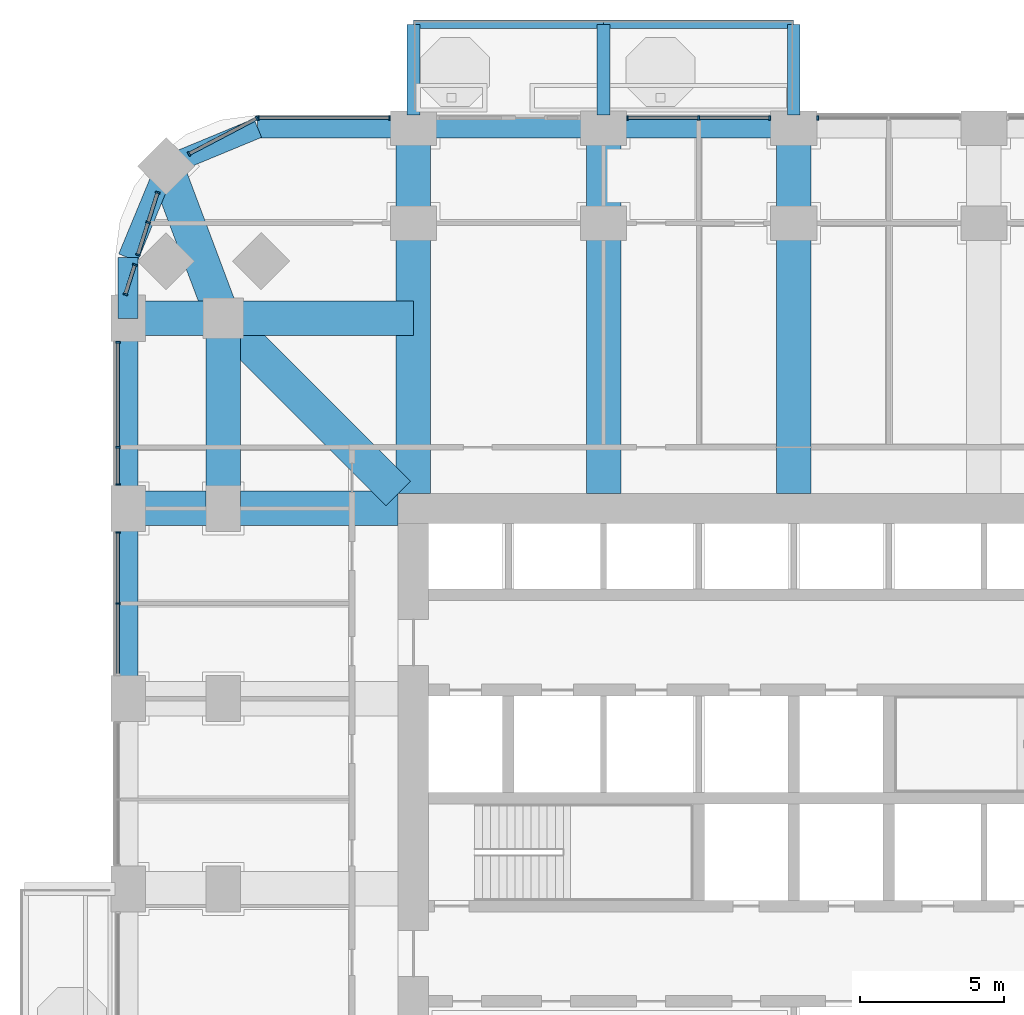
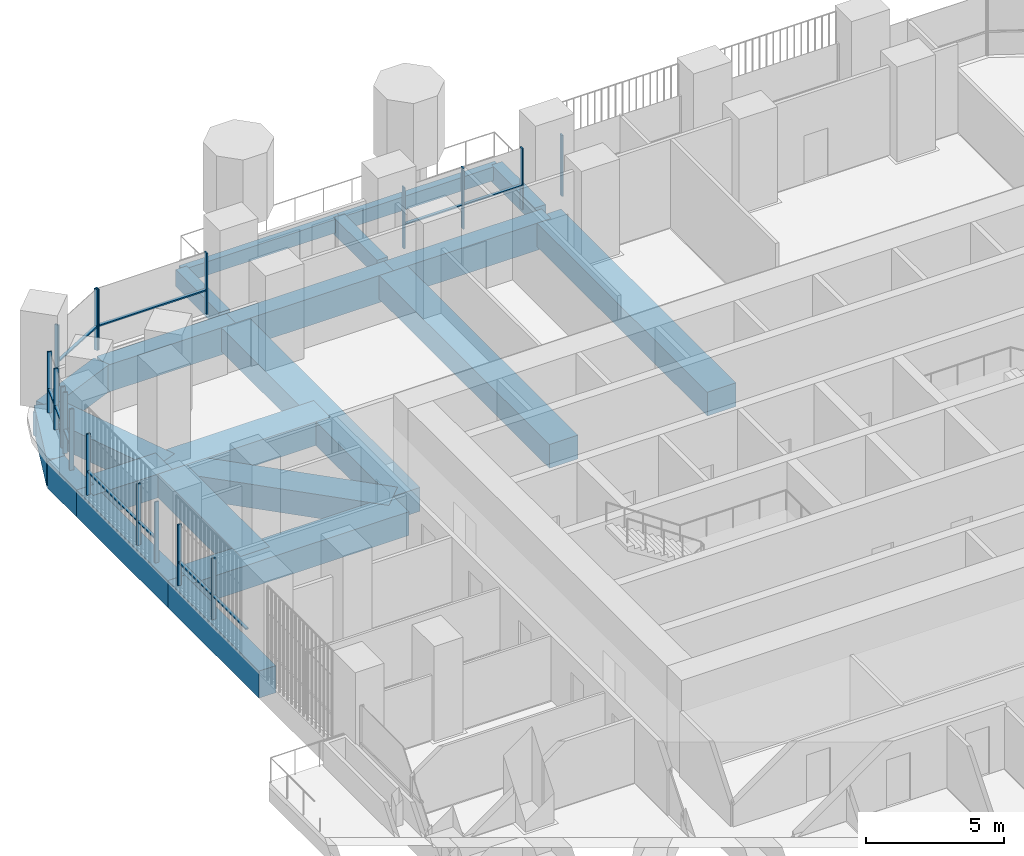
# One storey, part 6 of 21: 29 members, 22 beams, 8 elements without a shape of their own.
"""IFC4 building model written with IfcOpenShell, lengths in metres."""

from ifc_helpers import new_model, si_unit, direction, frame, origin, origin_2d, place, context, subcontext, project, spatial, rectangle, extrude, material, material_profile, profile_set, type_object, element, aggregate, save


model = new_model("IFC4")

# Units and contexts
model_context = context("Model", 3, precision=1e-05, world=origin(), true_north=direction((0.0, 1.0)))
body_context = subcontext(model_context, "Body", "Model", "MODEL_VIEW")
ifc_project = project(units=[si_unit("LENGTHUNIT", "METRE"), si_unit("AREAUNIT", "SQUARE_METRE"), si_unit("VOLUMEUNIT", "CUBIC_METRE"), si_unit("PLANEANGLEUNIT", "RADIAN"), si_unit("MASSUNIT", "GRAM", prefix="KILO")], contexts=[model_context])

# Site, building, storey
site_placement = place(None, origin())
site = spatial("IfcSite", under=ifc_project, at=site_placement, CompositionType="ELEMENT")
building_placement = place(site_placement, origin())
building = spatial("IfcBuilding", under=site, at=building_placement, Name="Cobogo Forest Laboratory Tower", CompositionType="ELEMENT")
storey_placement = place(building_placement, frame((0.0, 0.0, 90.60009765625)))
storey = spatial("IfcBuildingStorey", under=building, at=storey_placement, Name="L20", CompositionType="ELEMENT", Elevation=90.60009765625)

# Beams
ifc_material_1 = material(Name="Concrete HA-40 (C40/50)", Category="concrete")
ifc_material_profile_1 = material_profile(ifc_material_1, rectangle(XDim=0.449951171875, YDim=0.75, at=origin_2d()), Name="RC 450x750")
ifc_profile_set_1 = profile_set([ifc_material_profile_1], Name="Concrete HA-40 (C40/50)")
beam_type_1 = type_object("IfcBeamType", Name="Balcony cantilever beam 450x750", PredefinedType="BEAM", material=ifc_profile_set_1)
for number, where, z_axis, x_axis, name in (
    (1, (13.199951171875, 46.64990234375, -0.625), (0.0, 1.0, 0.0), (-1.0, 0.0, 0.0), "CB1 BAL-N1-C1 L20"),
    (2, (19.800048828125, 46.64990234375, -0.625), (0.0, 1.0, 0.0), (-1.0, 0.0, 0.0), "CB1 BAL-N1-C2 L20"),
    (3, (26.39990234375, 46.64990234375, -0.625), (0.0, 1.0, 0.0), (-1.0, 0.0, 0.0), "CB1 BAL-N1-C3 L20"),
):
    element("IfcBeam", number, at=place(storey_placement, frame(where, z_axis=z_axis, x_axis=x_axis)), inside=storey, type_object=beam_type_1, Name=name, PredefinedType="BEAM", context=body_context, shape_type="SweptSolid", body=[
        extrude(rectangle(XDim=0.449951171875, YDim=0.75, at=origin_2d()), origin(), (0.0, 0.0, 1.0), 3.150146484375),
    ])
ifc_material_profile_2 = material_profile(ifc_material_1, rectangle(XDim=0.300048828125, YDim=0.60009765625, at=origin_2d()), Name="RC 300x600")
ifc_profile_set_2 = profile_set([ifc_material_profile_2], Name="Concrete HA-40 (C40/50)")
beam_type_2 = type_object("IfcBeamType", Name="Balcony edge beam 300x600", PredefinedType="BEAM", material=ifc_profile_set_2)
beam_1_placement = place(storey_placement, frame((13.199951171875, 49.800048828125, -0.550048828125), z_axis=(1.0, 0.0, 0.0), x_axis=(0.0, 1.0, 0.0)))
element("IfcBeam", 4, at=beam_1_placement, inside=storey, type_object=beam_type_2, Name="BB1 BAL-N1-T1 L20", PredefinedType="BEAM", context=body_context, shape_type="SweptSolid", body=[
    extrude(rectangle(XDim=0.300048828125, YDim=0.60009765625, at=origin_2d()), origin(), (0.0, 0.0, 1.0), 6.60009765625),
])
beam_2_placement = place(storey_placement, frame((19.800048828125, 49.800048828125, -0.550048828125), z_axis=(1.0, 0.0, 0.0), x_axis=(0.0, 1.0, 0.0)))
element("IfcBeam", 5, at=beam_2_placement, inside=storey, type_object=beam_type_2, Name="BB1 BAL-N1-T2 L20", PredefinedType="BEAM", context=body_context, shape_type="SweptSolid", body=[
    extrude(rectangle(XDim=0.300048828125, YDim=0.60009765625, at=origin_2d()), origin(), (0.0, 0.0, 1.0), 6.599853515625),
])
ifc_material_profile_3 = material_profile(ifc_material_1, rectangle(XDim=1.199951171875, YDim=1.050048828125, at=origin_2d()), Name="RC 1200x1050")
ifc_profile_set_3 = profile_set([ifc_material_profile_3], Name="Concrete HA-40 (C40/50)")
beam_type_3 = type_object("IfcBeamType", Name="Laboratory floor wide beam 1200x1050", PredefinedType="BEAM", material=ifc_profile_set_3)
for number, where, z_axis, x_axis, name in (
    (6, (13.199951171875, 33.52490234375, -0.8251953125), (0.0, 1.0, 0.0), (-1.0, 0.0, 0.0), "RB1 R-3-N L20"),
    (7, (19.800048828125, 33.52490234375, -0.8251953125), (0.0, 1.0, 0.0), (-1.0, 0.0, 0.0), "RB1 R-4-N L20"),
    (8, (26.39990234375, 33.52490234375, -0.8251953125), (0.0, 1.0, 0.0), (-1.0, 0.0, 0.0), "RB1 R-5-N L20"),
):
    element("IfcBeam", number, at=place(storey_placement, frame(where, z_axis=z_axis, x_axis=x_axis)), inside=storey, type_object=beam_type_3, Name=name, PredefinedType="BEAM", context=body_context, shape_type="SweptSolid", body=[
        extrude(rectangle(XDim=1.199951171875, YDim=1.050048828125, at=origin_2d()), origin(), (0.0, 0.0, 1.0), 12.675048828125),
    ])
beam_3_placement = place(storey_placement, frame((12.675048828125, 33.0, -0.8251953125), z_axis=(-1.0, 0.0, 0.0), x_axis=(0.0, -1.0, 0.0)))
element("IfcBeam", 9, at=beam_3_placement, inside=storey, type_object=beam_type_3, Name="RB1 R-F-W L20", PredefinedType="BEAM", context=body_context, shape_type="SweptSolid", body=[
    extrude(rectangle(XDim=1.199951171875, YDim=1.050048828125, at=origin_2d()), origin(), (0.0, 0.0, 1.0), 9.375),
])
beam_4_placement = place(storey_placement, frame((6.60009765625, 39.60009765625, -0.8251953125), z_axis=(0.0, -1.0, 0.0), x_axis=(1.0, 0.0, 0.0)))
element("IfcBeam", 10, at=beam_4_placement, inside=storey, type_object=beam_type_3, Name="RB1 G-NW-XC L20", PredefinedType="BEAM", context=body_context, shape_type="SweptSolid", body=[
    extrude(rectangle(XDim=1.199951171875, YDim=1.050048828125, at=origin_2d()), origin(), (0.0, 0.0, 1.0), 6.60009765625),
])
beam_5_placement = place(storey_placement, frame((3.300048828125, 39.60009765625, -0.8251953125), z_axis=(1.0, 0.0, 0.0), x_axis=(0.0, 1.0, 0.0)))
element("IfcBeam", 11, at=beam_5_placement, inside=storey, type_object=beam_type_3, Name="RB1 G-NW-YF L20", PredefinedType="BEAM", context=body_context, shape_type="SweptSolid", body=[
    extrude(rectangle(XDim=1.199951171875, YDim=1.050048828125, at=origin_2d()), origin(), (0.0, 0.0, 1.0), 3.300048828125),
])
beam_6_placement = place(storey_placement, frame((6.60009765625, 39.60009765625, -0.8251953125), z_axis=(1.0, 0.0, 0.0), x_axis=(0.0, 1.0, 0.0)))
element("IfcBeam", 12, at=beam_6_placement, inside=storey, type_object=beam_type_3, Name="RB1 G-NW-YC L20", PredefinedType="BEAM", context=body_context, shape_type="SweptSolid", body=[
    extrude(rectangle(XDim=1.199951171875, YDim=1.050048828125, at=origin_2d()), origin(), (0.0, 0.0, 1.0), 6.599853515625),
])
beam_7_placement = place(storey_placement, frame((4.617919921875, 44.882080078125, -0.8251953125), z_axis=(0.351346325373, -0.936245565889, 0.0), x_axis=(0.936245565889, 0.351346325373, 0.0)))
element("IfcBeam", 13, at=beam_7_placement, inside=storey, type_object=beam_type_3, Name="RB1 G-NW-D1 L20", PredefinedType="BEAM", context=body_context, shape_type="SweptSolid", body=[
    extrude(rectangle(XDim=1.199951171875, YDim=1.050048828125, at=origin_2d()), origin(), (0.0, 0.0, 1.0), 5.6416015625),
])
beam_8_placement = place(storey_placement, frame((6.60009765625, 39.60009765625, -0.8251953125), z_axis=(0.707092572697, -0.70712098939, 0.0), x_axis=(0.70712098939, 0.707092572697, 0.0)))
element("IfcBeam", 14, at=beam_8_placement, inside=storey, type_object=beam_type_3, Name="RB1 G-NW-D2 L20", PredefinedType="BEAM", context=body_context, shape_type="SweptSolid", body=[
    extrude(rectangle(XDim=1.199951171875, YDim=1.050048828125, at=origin_2d()), origin(), (0.0, 0.0, 1.0), 8.591552734375),
])

# Curtain wall, member
ifc_material_2 = material(Name="Aluminium curtain wall", Category="aluminium")
curtain_wall_type = type_object("IfcCurtainWallType", Name="CW-1 unitised curtain wall, clear glazing, laboratory floors zones A and B", PredefinedType="USERDEFINED", material=ifc_material_2)
curtain_wall_1_placement = place(storey_placement, origin())
curtain_wall_1 = element("IfcCurtainWall", 15, at=curtain_wall_1_placement, inside=storey, type_object=curtain_wall_type, Name="Curtain wall 20 L20", ObjectType="UNITISED CURTAIN WALL", PredefinedType="USERDEFINED")
ifc_material_3 = material(Name="Aluminium mullion", Category="aluminium")
ifc_material_profile_4 = material_profile(ifc_material_3, rectangle(XDim=0.06005859375, YDim=0.159912109375, at=origin_2d()), Name="AL 60x160")
ifc_profile_set_4 = profile_set([ifc_material_profile_4], Name="Aluminium mullion")
member_type_1 = type_object("IfcMemberType", Name="MU-1 aluminium mullion 60x160", PredefinedType="MULLION", material=ifc_profile_set_4)
member_1_placement = place(storey_placement, frame((27.22998046875, 46.550048828125, 0.0), z_axis=(0.0, 0.0, 1.0), x_axis=(-1.0, 0.0, 0.0)))
member_1 = element("IfcMember", 16, at=member_1_placement, type_object=member_type_1, Name="CW-1 mullion 3", PredefinedType="MULLION", context=body_context, shape_type="SweptSolid", body=[
    extrude(rectangle(XDim=0.06005859375, YDim=0.159912109375, at=origin_2d()), origin(), (0.0, 0.0, 1.0), 2.699951171875),
])
aggregate(curtain_wall_1, [member_1])

# Curtain wall, members
curtain_wall_2_placement = place(storey_placement, origin())
curtain_wall_2 = element("IfcCurtainWall", 17, at=curtain_wall_2_placement, inside=storey, type_object=curtain_wall_type, Name="Curtain wall 21 L20", ObjectType="UNITISED CURTAIN WALL", PredefinedType="USERDEFINED")
member_2_placement = place(storey_placement, frame((25.570068359375, 46.550048828125, 0.0), z_axis=(0.0, 0.0, 1.0), x_axis=(-1.0, 0.0, 0.0)))
member_2 = element("IfcMember", 18, at=member_2_placement, type_object=member_type_1, Name="CW-1 mullion 1", PredefinedType="MULLION", context=body_context, shape_type="SweptSolid", body=[
    extrude(rectangle(XDim=0.06005859375, YDim=0.159912109375, at=origin_2d()), origin(), (0.0, 0.0, 1.0), 2.699951171875),
])
member_3_placement = place(storey_placement, frame((23.10009765625, 46.550048828125, 0.0), z_axis=(0.0, 0.0, 1.0), x_axis=(-1.0, 0.0, 0.0)))
member_3 = element("IfcMember", 19, at=member_3_placement, type_object=member_type_1, Name="CW-1 mullion 2", PredefinedType="MULLION", context=body_context, shape_type="SweptSolid", body=[
    extrude(rectangle(XDim=0.06005859375, YDim=0.159912109375, at=origin_2d()), origin(), (0.0, 0.0, 1.0), 2.699951171875),
])
member_4_placement = place(storey_placement, frame((20.6298828125, 46.550048828125, 0.0), z_axis=(0.0, 0.0, 1.0), x_axis=(-1.0, 0.0, 0.0)))
member_4 = element("IfcMember", 20, at=member_4_placement, type_object=member_type_1, Name="CW-1 mullion 3", PredefinedType="MULLION", context=body_context, shape_type="SweptSolid", body=[
    extrude(rectangle(XDim=0.06005859375, YDim=0.159912109375, at=origin_2d()), origin(), (0.0, 0.0, 1.0), 2.699951171875),
])

curtain_wall_3_placement = place(storey_placement, origin())
curtain_wall_3 = element("IfcCurtainWall", 21, at=curtain_wall_3_placement, inside=storey, type_object=curtain_wall_type, Name="Curtain wall 23 L20", ObjectType="UNITISED CURTAIN WALL", PredefinedType="USERDEFINED")
member_5_placement = place(storey_placement, frame((12.3701171875, 46.550048828125, 0.0), z_axis=(0.0, 0.0, 1.0), x_axis=(-1.0, 0.0, 0.0)))
member_5 = element("IfcMember", 22, at=member_5_placement, type_object=member_type_1, Name="CW-1 mullion 1", PredefinedType="MULLION", context=body_context, shape_type="SweptSolid", body=[
    extrude(rectangle(XDim=0.06005859375, YDim=0.159912109375, at=origin_2d()), origin(), (0.0, 0.0, 1.0), 2.699951171875),
])
member_6_placement = place(storey_placement, frame((7.830078125, 46.550048828125, 0.0), z_axis=(0.0, 0.0, 1.0), x_axis=(-1.0, 0.0, 0.0)))
member_6 = element("IfcMember", 23, at=member_6_placement, type_object=member_type_1, Name="CW-1 mullion 2", PredefinedType="MULLION", context=body_context, shape_type="SweptSolid", body=[
    extrude(rectangle(XDim=0.06005859375, YDim=0.159912109375, at=origin_2d()), origin(), (0.0, 0.0, 1.0), 2.699951171875),
])

curtain_wall_4_placement = place(storey_placement, origin())
curtain_wall_4 = element("IfcCurtainWall", 24, at=curtain_wall_4_placement, inside=storey, type_object=curtain_wall_type, Name="Curtain wall 24 L20", ObjectType="UNITISED CURTAIN WALL", PredefinedType="USERDEFINED")
member_7_placement = place(storey_placement, frame((7.7734375, 46.5361328125, 0.0), z_axis=(0.0, 0.0, 1.0), x_axis=(-0.885686540666, -0.464283697413, 0.0)))
member_7 = element("IfcMember", 25, at=member_7_placement, type_object=member_type_1, Name="CW-1 mullion 1", PredefinedType="MULLION", context=body_context, shape_type="SweptSolid", body=[
    extrude(rectangle(XDim=0.06005859375, YDim=0.159912109375, at=origin_2d()), origin(), (0.0, 0.0, 1.0), 2.699951171875),
])
member_8_placement = place(storey_placement, frame((5.414794921875, 45.299560546875, 0.0), z_axis=(0.0, 0.0, 1.0), x_axis=(-0.885686540666, -0.464283697413, 0.0)))
member_8 = element("IfcMember", 26, at=member_8_placement, type_object=member_type_1, Name="CW-1 mullion 2", PredefinedType="MULLION", context=body_context, shape_type="SweptSolid", body=[
    extrude(rectangle(XDim=0.06005859375, YDim=0.159912109375, at=origin_2d()), origin(), (0.0, 0.0, 1.0), 2.699951171875),
])

curtain_wall_5_placement = place(storey_placement, origin())
curtain_wall_5 = element("IfcCurtainWall", 27, at=curtain_wall_5_placement, inside=storey, type_object=curtain_wall_type, Name="Curtain wall 25 L20", ObjectType="UNITISED CURTAIN WALL", PredefinedType="USERDEFINED")
member_9_placement = place(storey_placement, frame((4.3271484375, 43.961181640625, 0.0), z_axis=(0.0, 0.0, 1.0), x_axis=(-0.301135343623, -0.953581409645, 0.0)))
member_9 = element("IfcMember", 28, at=member_9_placement, type_object=member_type_1, Name="CW-1 mullion 1", PredefinedType="MULLION", context=body_context, shape_type="SweptSolid", body=[
    extrude(rectangle(XDim=0.06005859375, YDim=0.159912109375, at=origin_2d()), origin(), (0.0, 0.0, 1.0), 2.699951171875),
])
member_10_placement = place(storey_placement, frame((3.999755859375, 42.924072265625, 0.0), z_axis=(0.0, 0.0, 1.0), x_axis=(-0.301135343623, -0.953581409645, 0.0)))
member_10 = element("IfcMember", 29, at=member_10_placement, type_object=member_type_1, Name="CW-1 mullion 2", PredefinedType="MULLION", context=body_context, shape_type="SweptSolid", body=[
    extrude(rectangle(XDim=0.06005859375, YDim=0.159912109375, at=origin_2d()), origin(), (0.0, 0.0, 1.0), 2.699951171875),
])
member_11_placement = place(storey_placement, frame((3.645751953125, 41.802978515625, 0.0), z_axis=(0.0, 0.0, 1.0), x_axis=(-0.301135343623, -0.953581409645, 0.0)))
member_11 = element("IfcMember", 30, at=member_11_placement, type_object=member_type_1, Name="CW-1 mullion 3", PredefinedType="MULLION", context=body_context, shape_type="SweptSolid", body=[
    extrude(rectangle(XDim=0.06005859375, YDim=0.159912109375, at=origin_2d()), origin(), (0.0, 0.0, 1.0), 2.699951171875),
])

curtain_wall_6_placement = place(storey_placement, origin())
curtain_wall_6 = element("IfcCurtainWall", 31, at=curtain_wall_6_placement, inside=storey, type_object=curtain_wall_type, Name="Curtain wall 26 L20", ObjectType="UNITISED CURTAIN WALL", PredefinedType="USERDEFINED")
member_12_placement = place(storey_placement, frame((3.53515625, 41.453369140625, 0.0), z_axis=(0.0, 0.0, 1.0), x_axis=(-0.3011355018, -0.953581359694, 0.0)))
member_12 = element("IfcMember", 32, at=member_12_placement, type_object=member_type_1, Name="CW-1 mullion 1", PredefinedType="MULLION", context=body_context, shape_type="SweptSolid", body=[
    extrude(rectangle(XDim=0.06005859375, YDim=0.159912109375, at=origin_2d()), origin(), (0.0, 0.0, 1.0), 2.699951171875),
])
member_13_placement = place(storey_placement, frame((3.211669921875, 40.4287109375, 0.0), z_axis=(0.0, 0.0, 1.0), x_axis=(-0.3011355018, -0.953581359694, 0.0)))
member_13 = element("IfcMember", 33, at=member_13_placement, type_object=member_type_1, Name="CW-1 mullion 2", PredefinedType="MULLION", context=body_context, shape_type="SweptSolid", body=[
    extrude(rectangle(XDim=0.06005859375, YDim=0.159912109375, at=origin_2d()), origin(), (0.0, 0.0, 1.0), 2.699951171875),
])

curtain_wall_7_placement = place(storey_placement, origin())
curtain_wall_7 = element("IfcCurtainWall", 34, at=curtain_wall_7_placement, inside=storey, type_object=curtain_wall_type, Name="Curtain wall 27 L20", ObjectType="UNITISED CURTAIN WALL", PredefinedType="USERDEFINED")
member_14_placement = place(storey_placement, frame((2.949951171875, 38.77001953125, 0.0), z_axis=(0.0, 0.0, 1.0), x_axis=(0.0, -1.0, 0.0)))
member_14 = element("IfcMember", 35, at=member_14_placement, type_object=member_type_1, Name="CW-1 mullion 1", PredefinedType="MULLION", context=body_context, shape_type="SweptSolid", body=[
    extrude(rectangle(XDim=0.06005859375, YDim=0.159912109375, at=origin_2d()), origin(), (0.0, 0.0, 1.0), 2.699951171875),
])
member_15_placement = place(storey_placement, frame((2.949951171875, 35.125, 0.0), z_axis=(0.0, 0.0, 1.0), x_axis=(0.0, -1.0, 0.0)))
member_15 = element("IfcMember", 36, at=member_15_placement, type_object=member_type_1, Name="CW-1 mullion 2", PredefinedType="MULLION", context=body_context, shape_type="SweptSolid", body=[
    extrude(rectangle(XDim=0.06005859375, YDim=0.159912109375, at=origin_2d()), origin(), (0.0, 0.0, 1.0), 2.699951171875),
])
member_16_placement = place(storey_placement, frame((2.949951171875, 33.830078125, 0.0), z_axis=(0.0, 0.0, 1.0), x_axis=(0.0, -1.0, 0.0)))
member_16 = element("IfcMember", 37, at=member_16_placement, type_object=member_type_1, Name="CW-1 mullion 3", PredefinedType="MULLION", context=body_context, shape_type="SweptSolid", body=[
    extrude(rectangle(XDim=0.06005859375, YDim=0.159912109375, at=origin_2d()), origin(), (0.0, 0.0, 1.0), 2.699951171875),
])

curtain_wall_8_placement = place(storey_placement, origin())
curtain_wall_8 = element("IfcCurtainWall", 38, at=curtain_wall_8_placement, inside=storey, type_object=curtain_wall_type, Name="Curtain wall 28 L20", ObjectType="UNITISED CURTAIN WALL", PredefinedType="USERDEFINED")
member_17_placement = place(storey_placement, frame((2.949951171875, 32.169921875, 0.0), z_axis=(0.0, 0.0, 1.0), x_axis=(0.0, -1.0, 0.0)))
member_17 = element("IfcMember", 39, at=member_17_placement, type_object=member_type_1, Name="CW-1 mullion 1", PredefinedType="MULLION", context=body_context, shape_type="SweptSolid", body=[
    extrude(rectangle(XDim=0.06005859375, YDim=0.159912109375, at=origin_2d()), origin(), (0.0, 0.0, 1.0), 2.699951171875),
])
member_18_placement = place(storey_placement, frame((2.949951171875, 29.699951171875, 0.0), z_axis=(0.0, 0.0, 1.0), x_axis=(0.0, -1.0, 0.0)))
member_18 = element("IfcMember", 40, at=member_18_placement, type_object=member_type_1, Name="CW-1 mullion 2", PredefinedType="MULLION", context=body_context, shape_type="SweptSolid", body=[
    extrude(rectangle(XDim=0.06005859375, YDim=0.159912109375, at=origin_2d()), origin(), (0.0, 0.0, 1.0), 2.699951171875),
])

# Beams
ifc_material_profile_5 = material_profile(ifc_material_1, rectangle(XDim=0.699951171875, YDim=1.199951171875, at=origin_2d()), Name="RC 700x1200")
ifc_profile_set_5 = profile_set([ifc_material_profile_5], Name="Concrete HA-40 (C40/50)")
beam_type_4 = type_object("IfcBeamType", Name="Perimeter edge beam 700x1200", PredefinedType="BEAM", material=ifc_profile_set_5)
beam_9_placement = place(storey_placement, frame((13.199951171875, 46.199951171875, -0.900146484375), z_axis=(1.0, 0.0, 0.0), x_axis=(0.0, 1.0, 0.0)))
element("IfcBeam", 41, at=beam_9_placement, inside=storey, type_object=beam_type_4, Name="EB1 E-N1 L20", PredefinedType="BEAM", context=body_context, shape_type="SweptSolid", body=[
    extrude(rectangle(XDim=0.699951171875, YDim=1.199951171875, at=origin_2d()), origin(), (0.0, 0.0, 1.0), 6.60009765625),
])
beam_10_placement = place(storey_placement, frame((19.800048828125, 46.199951171875, -0.900146484375), z_axis=(1.0, 0.0, 0.0), x_axis=(0.0, 1.0, 0.0)))
element("IfcBeam", 42, at=beam_10_placement, inside=storey, type_object=beam_type_4, Name="EB1 E-N2 L20", PredefinedType="BEAM", context=body_context, shape_type="SweptSolid", body=[
    extrude(rectangle(XDim=0.699951171875, YDim=1.199951171875, at=origin_2d()), origin(), (0.0, 0.0, 1.0), 6.599853515625),
])
for number, where, z_axis, x_axis, name in (
    (43, (3.300048828125, 26.39990234375, -0.900146484375), (0.0, 1.0, 0.0), (-1.0, 0.0, 0.0), "EB1 E-W4 L20"),
    (44, (3.300048828125, 33.0, -0.900146484375), (0.0, 1.0, 0.0), (-1.0, 0.0, 0.0), "EB1 E-W5 L20"),
):
    element("IfcBeam", number, at=place(storey_placement, frame(where, z_axis=z_axis, x_axis=x_axis)), inside=storey, type_object=beam_type_4, Name=name, PredefinedType="BEAM", context=body_context, shape_type="SweptSolid", body=[
        extrude(rectangle(XDim=0.699951171875, YDim=1.199951171875, at=origin_2d()), origin(), (0.0, 0.0, 1.0), 6.60009765625),
    ])
beam_11_placement = place(storey_placement, frame((13.199951171875, 46.199951171875, -0.900146484375), z_axis=(-1.0, 0.0, 0.0), x_axis=(0.0, -1.0, 0.0)))
element("IfcBeam", 45, at=beam_11_placement, inside=storey, type_object=beam_type_4, Name="EB1 E-NWN1 L20", PredefinedType="BEAM", context=body_context, shape_type="SweptSolid", body=[
    extrude(rectangle(XDim=0.699951171875, YDim=1.199951171875, at=origin_2d()), origin(), (0.0, 0.0, 1.0), 5.39990234375),
])
beam_12_placement = place(storey_placement, frame((7.800048828125, 46.199951171875, -0.900146484375), z_axis=(-0.923901072997, -0.382631424892, 0.0), x_axis=(0.382631424892, -0.923901072997, 0.0)))
element("IfcBeam", 46, at=beam_12_placement, inside=storey, type_object=beam_type_4, Name="EB1 E-NWN2 L20", PredefinedType="BEAM", context=body_context, shape_type="SweptSolid", body=[
    extrude(rectangle(XDim=0.699951171875, YDim=1.199951171875, at=origin_2d()), origin(), (0.0, 0.0, 1.0), 3.4443359375),
])
beam_13_placement = place(storey_placement, frame((3.300048828125, 39.60009765625, -0.900146484375), z_axis=(0.0, 1.0, 0.0), x_axis=(-1.0, 0.0, 0.0)))
element("IfcBeam", 47, at=beam_13_placement, inside=storey, type_object=beam_type_4, Name="EB1 E-NWW1 L20", PredefinedType="BEAM", context=body_context, shape_type="SweptSolid", body=[
    extrude(rectangle(XDim=0.699951171875, YDim=1.199951171875, at=origin_2d()), origin(), (0.0, 0.0, 1.0), 2.099853515625),
])
beam_14_placement = place(storey_placement, frame((3.300048828125, 41.699951171875, -0.900146484375), z_axis=(0.382631424892, 0.923901072997, 0.0), x_axis=(-0.923901072997, 0.382631424892, 0.0)))
element("IfcBeam", 48, at=beam_14_placement, inside=storey, type_object=beam_type_4, Name="EB1 E-NWW2 L20", PredefinedType="BEAM", context=body_context, shape_type="SweptSolid", body=[
    extrude(rectangle(XDim=0.699951171875, YDim=1.199951171875, at=origin_2d()), origin(), (0.0, 0.0, 1.0), 3.4443359375),
])

# Member
ifc_material_4 = material(Name="Aluminium transom", Category="aluminium")
ifc_material_profile_6 = material_profile(ifc_material_4, rectangle(XDim=0.1201171875, YDim=0.06005859375, at=origin_2d()), Name="AL 60x120")
ifc_profile_set_6 = profile_set([ifc_material_profile_6], Name="Aluminium transom")
member_type_2 = type_object("IfcMemberType", Name="TR-1 aluminium transom 60x120", PredefinedType="USERDEFINED", material=ifc_profile_set_6)
member_19_placement = place(storey_placement, frame((25.5400390625, 46.550048828125, 1.0498046875), z_axis=(-1.0, 0.0, 0.0), x_axis=(0.0, -1.0, 0.0)))
member_19 = element("IfcMember", 49, at=member_19_placement, type_object=member_type_2, Name="CW-1 transom 1.1", ObjectType="TRANSOM", PredefinedType="USERDEFINED", context=body_context, shape_type="SweptSolid", body=[
    extrude(rectangle(XDim=0.1201171875, YDim=0.06005859375, at=origin_2d()), origin(), (0.0, 0.0, 1.0), 2.41015625),
])

member_20_placement = place(storey_placement, frame((23.070068359375, 46.550048828125, 1.0498046875), z_axis=(-1.0, 0.0, 0.0), x_axis=(0.0, -1.0, 0.0)))
member_20 = element("IfcMember", 50, at=member_20_placement, type_object=member_type_2, Name="CW-1 transom 2.1", ObjectType="TRANSOM", PredefinedType="USERDEFINED", context=body_context, shape_type="SweptSolid", body=[
    extrude(rectangle(XDim=0.1201171875, YDim=0.06005859375, at=origin_2d()), origin(), (0.0, 0.0, 1.0), 2.41015625),
])

aggregate(curtain_wall_2, [member_2, member_3, member_4, member_19, member_20])

member_21_placement = place(storey_placement, frame((12.340087890625, 46.550048828125, 1.0498046875), z_axis=(-1.0, 0.0, 0.0), x_axis=(0.0, -1.0, 0.0)))
member_21 = element("IfcMember", 51, at=member_21_placement, type_object=member_type_2, Name="CW-1 transom 1.1", ObjectType="TRANSOM", PredefinedType="USERDEFINED", context=body_context, shape_type="SweptSolid", body=[
    extrude(rectangle(XDim=0.1201171875, YDim=0.06005859375, at=origin_2d()), origin(), (0.0, 0.0, 1.0), 4.47998046875),
])

aggregate(curtain_wall_3, [member_5, member_6, member_21])

member_22_placement = place(storey_placement, frame((7.746826171875, 46.522216796875, 1.0498046875), z_axis=(-0.885671787399, -0.46431184026, 0.0), x_axis=(0.46431184026, -0.885671787399, 0.0)))
member_22 = element("IfcMember", 52, at=member_22_placement, type_object=member_type_2, Name="CW-1 transom 1.1", ObjectType="TRANSOM", PredefinedType="USERDEFINED", context=body_context, shape_type="SweptSolid", body=[
    extrude(rectangle(XDim=0.1201171875, YDim=0.06005859375, at=origin_2d()), origin(), (0.0, 0.0, 1.0), 2.603271484375),
])

aggregate(curtain_wall_4, [member_7, member_8, member_22])

member_23_placement = place(storey_placement, frame((4.318115234375, 43.9326171875, 1.0498046875), z_axis=(-0.301006294888, -0.953622152866, 0.0), x_axis=(0.953622152866, -0.301006294888, 0.0)))
member_23 = element("IfcMember", 53, at=member_23_placement, type_object=member_type_2, Name="CW-1 transom 1.1", ObjectType="TRANSOM", PredefinedType="USERDEFINED", context=body_context, shape_type="SweptSolid", body=[
    extrude(rectangle(XDim=0.1201171875, YDim=0.06005859375, at=origin_2d()), origin(), (0.0, 0.0, 1.0), 1.027587890625),
])

member_24_placement = place(storey_placement, frame((3.99072265625, 42.8955078125, 1.0498046875), z_axis=(-0.301089478624, -0.953595892327, 0.0), x_axis=(0.953595892327, -0.301089478624, 0.0)))
member_24 = element("IfcMember", 54, at=member_24_placement, type_object=member_type_2, Name="CW-1 transom 2.1", ObjectType="TRANSOM", PredefinedType="USERDEFINED", context=body_context, shape_type="SweptSolid", body=[
    extrude(rectangle(XDim=0.1201171875, YDim=0.06005859375, at=origin_2d()), origin(), (0.0, 0.0, 1.0), 1.11572265625),
])

aggregate(curtain_wall_5, [member_9, member_10, member_11, member_23, member_24])

member_25_placement = place(storey_placement, frame((3.526123046875, 41.4248046875, 1.0498046875), z_axis=(-0.301027719625, -0.953615389986, 0.0), x_axis=(0.953615389986, -0.301027719625, 0.0)))
member_25 = element("IfcMember", 55, at=member_25_placement, type_object=member_type_2, Name="CW-1 transom 1.1", ObjectType="TRANSOM", PredefinedType="USERDEFINED", context=body_context, shape_type="SweptSolid", body=[
    extrude(rectangle(XDim=0.1201171875, YDim=0.06005859375, at=origin_2d()), origin(), (0.0, 0.0, 1.0), 1.0146484375),
])

aggregate(curtain_wall_6, [member_12, member_13, member_25])

member_26_placement = place(storey_placement, frame((2.949951171875, 38.739990234375, 1.0498046875), z_axis=(0.0, -1.0, 0.0), x_axis=(1.0, 0.0, 0.0)))
member_26 = element("IfcMember", 56, at=member_26_placement, type_object=member_type_2, Name="CW-1 transom 1.1", ObjectType="TRANSOM", PredefinedType="USERDEFINED", context=body_context, shape_type="SweptSolid", body=[
    extrude(rectangle(XDim=0.1201171875, YDim=0.06005859375, at=origin_2d()), origin(), (0.0, 0.0, 1.0), 3.5849609375),
])

member_27_placement = place(storey_placement, frame((2.949951171875, 35.094970703125, 1.0498046875), z_axis=(0.0, -1.0, 0.0), x_axis=(1.0, 0.0, 0.0)))
member_27 = element("IfcMember", 57, at=member_27_placement, type_object=member_type_2, Name="CW-1 transom 2.1", ObjectType="TRANSOM", PredefinedType="USERDEFINED", context=body_context, shape_type="SweptSolid", body=[
    extrude(rectangle(XDim=0.1201171875, YDim=0.06005859375, at=origin_2d()), origin(), (0.0, 0.0, 1.0), 1.23486328125),
])

aggregate(curtain_wall_7, [member_14, member_15, member_16, member_26, member_27])

member_28_placement = place(storey_placement, frame((2.949951171875, 32.139892578125, 1.0498046875), z_axis=(0.0, -1.0, 0.0), x_axis=(1.0, 0.0, 0.0)))
member_28 = element("IfcMember", 58, at=member_28_placement, type_object=member_type_2, Name="CW-1 transom 1.1", ObjectType="TRANSOM", PredefinedType="USERDEFINED", context=body_context, shape_type="SweptSolid", body=[
    extrude(rectangle(XDim=0.1201171875, YDim=0.06005859375, at=origin_2d()), origin(), (0.0, 0.0, 1.0), 2.409912109375),
])

member_29_placement = place(storey_placement, frame((2.949951171875, 29.669921875, 1.0498046875), z_axis=(0.0, -1.0, 0.0), x_axis=(1.0, 0.0, 0.0)))
member_29 = element("IfcMember", 59, at=member_29_placement, type_object=member_type_2, Name="CW-1 transom 2.1", ObjectType="TRANSOM", PredefinedType="USERDEFINED", context=body_context, shape_type="SweptSolid", body=[
    extrude(rectangle(XDim=0.1201171875, YDim=0.06005859375, at=origin_2d()), origin(), (0.0, 0.0, 1.0), 2.409912109375),
])

aggregate(curtain_wall_8, [member_17, member_18, member_28, member_29])

save(model, "model.ifc")
